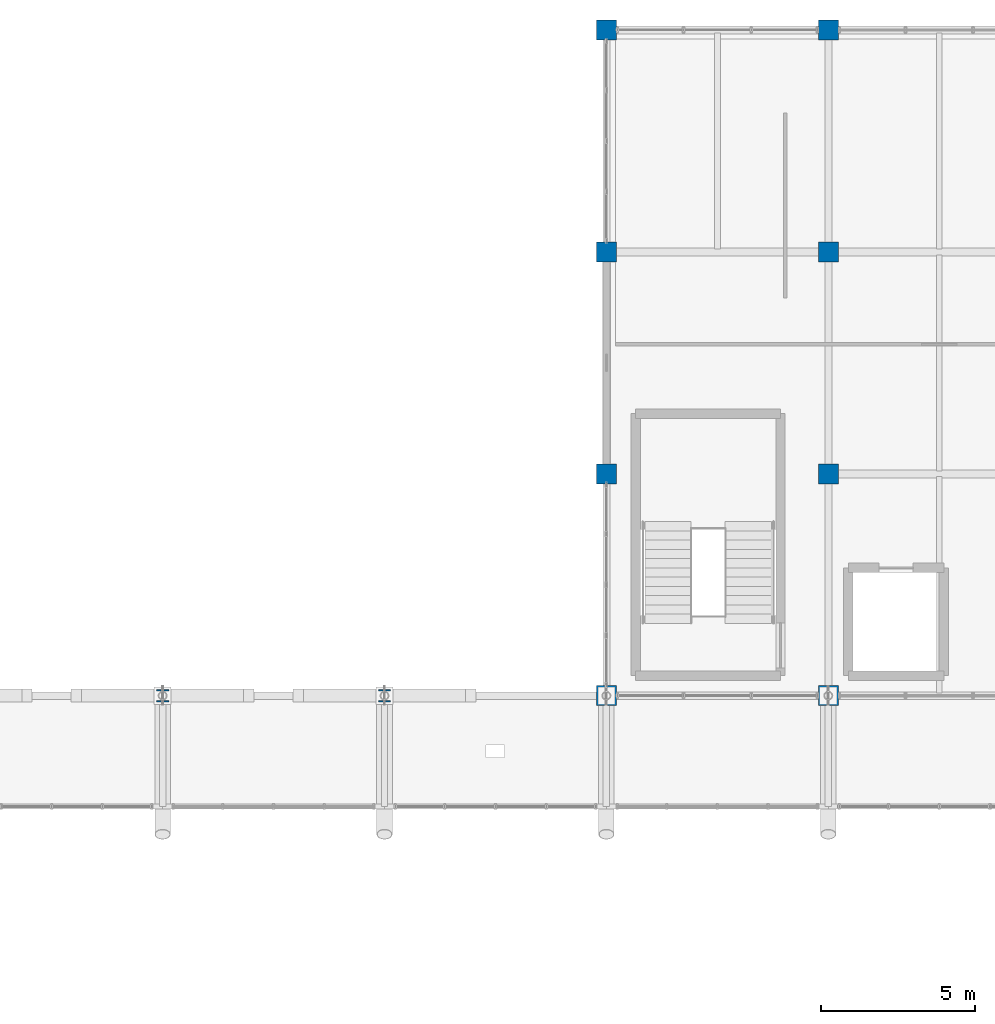
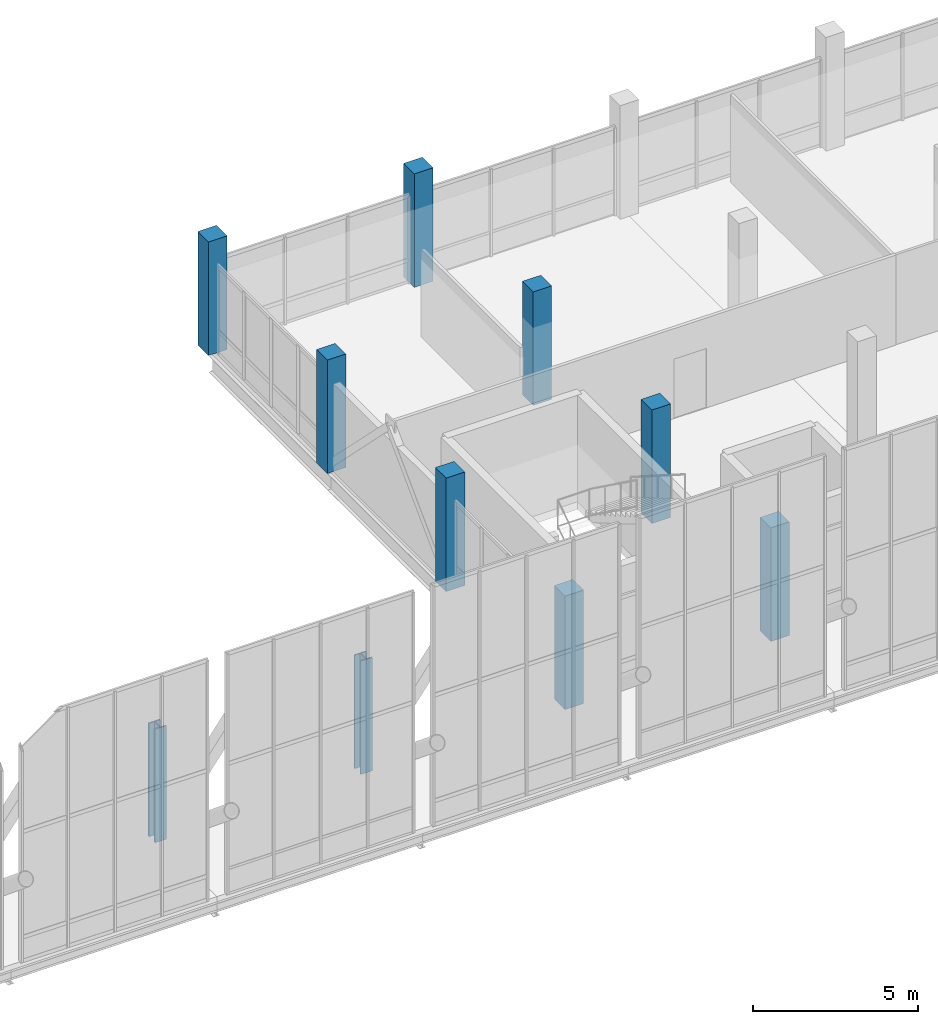
# One storey, part 4 of 102: 10 columns.
"""IFC4 building model written with IfcOpenShell, lengths in metres."""

from ifc_helpers import new_model, si_unit, direction, frame, origin, origin_2d, place, context, subcontext, project, spatial, rectangle, i_section, extrude, material, material_profile, profile_set, type_object, element, save


model = new_model("IFC4")

# Units and contexts
model_context = context("Model", 3, precision=1e-05, world=origin(), true_north=direction((0.0, 1.0)))
body_context = subcontext(model_context, "Body", "Model", "MODEL_VIEW")
ifc_project = project(units=[si_unit("LENGTHUNIT", "METRE"), si_unit("AREAUNIT", "SQUARE_METRE"), si_unit("VOLUMEUNIT", "CUBIC_METRE"), si_unit("PLANEANGLEUNIT", "RADIAN"), si_unit("MASSUNIT", "GRAM", prefix="KILO")], contexts=[model_context])

# Site, building, storey
site_placement = place(None, origin())
site = spatial("IfcSite", under=ifc_project, at=site_placement, CompositionType="ELEMENT")
building_placement = place(site_placement, origin())
building = spatial("IfcBuilding", under=site, at=building_placement, Name="Yarey Park Central Fire Station", CompositionType="ELEMENT")
storey_placement = place(building_placement, frame((0.0, 0.0, 6.0)))
storey = spatial("IfcBuildingStorey", under=building, at=storey_placement, Name="L02", CompositionType="ELEMENT", Elevation=6.0)

# Columns
ifc_material_1 = material(Name="Concrete C40/50", Category="concrete")
ifc_material_profile_1 = material_profile(ifc_material_1, rectangle(XDim=0.64990234375, YDim=0.64990234375, at=origin_2d()), Name="RC 650x650")
ifc_profile_set_1 = profile_set([ifc_material_profile_1], Name="Concrete C40/50")
column_type_1 = type_object("IfcColumnType", Name="STR_COL_RC650_EXT", PredefinedType="COLUMN", material=ifc_profile_set_1)
for number, where, z_axis, x_axis, name in (
    (1, (115.199951171875, 93.60009765625, 0.0), (0.0, 0.0, 1.0), (1.0, 0.0, 0.0), "COL_L02_X1152_Y936"),
    (2, (115.199951171875, 100.800048828125, 0.0), (0.0, 0.0, 1.0), (1.0, 0.0, 0.0), "COL_L02_X1152_Y1008"),
    (3, (115.199951171875, 108.0, 0.0), (0.0, 0.0, 1.0), (1.0, 0.0, 0.0), "COL_L02_X1152_Y1080"),
    (4, (115.199951171875, 115.199951171875, 0.0), (0.0, 0.0, 1.0), (1.0, 0.0, 0.0), "COL_L02_X1152_Y1152"),
    (5, (122.39990234375, 93.60009765625, 0.0), (0.0, 0.0, 1.0), (1.0, 0.0, 0.0), "COL_L02_X1224_Y936"),
    (6, (122.39990234375, 115.199951171875, 0.0), (0.0, 0.0, 1.0), (1.0, 0.0, 0.0), "COL_L02_X1224_Y1152"),
):
    element("IfcColumn", number, at=place(storey_placement, frame(where, z_axis=z_axis, x_axis=x_axis)), inside=storey, type_object=column_type_1, Name=name, PredefinedType="COLUMN", context=body_context, shape_type="SweptSolid", body=[
        extrude(rectangle(XDim=0.64990234375, YDim=0.64990234375, at=origin_2d()), origin(), (0.0, 0.0, 1.0), 4.199951171875),
    ])
ifc_material_profile_2 = material_profile(ifc_material_1, rectangle(XDim=0.64990234375, YDim=0.64990234375, at=origin_2d()), Name="RC 650x650")
ifc_profile_set_2 = profile_set([ifc_material_profile_2], Name="Concrete C40/50")
column_type_2 = type_object("IfcColumnType", Name="STR_COL_RC650_INT", PredefinedType="COLUMN", material=ifc_profile_set_2)
for number, where, z_axis, x_axis, name in (
    (7, (122.39990234375, 100.800048828125, 0.0), (0.0, 0.0, 1.0), (1.0, 0.0, 0.0), "COL_L02_X1224_Y1008"),
    (8, (122.39990234375, 108.0, 0.0), (0.0, 0.0, 1.0), (1.0, 0.0, 0.0), "COL_L02_X1224_Y1080"),
):
    element("IfcColumn", number, at=place(storey_placement, frame(where, z_axis=z_axis, x_axis=x_axis)), inside=storey, type_object=column_type_2, Name=name, PredefinedType="COLUMN", context=body_context, shape_type="SweptSolid", body=[
        extrude(rectangle(XDim=0.64990234375, YDim=0.64990234375, at=origin_2d()), origin(), (0.0, 0.0, 1.0), 4.199951171875),
    ])
ifc_material_2 = material(Name="Steel ASTM A992 Gr. 50", Category="steel")
ifc_material_profile_3 = material_profile(ifc_material_2, i_section(OverallWidth=0.404052734375, OverallDepth=0.406982421875, WebThickness=0.027099609375, FlangeThickness=0.043701171875, at=origin_2d()), Name="W360x347")
ifc_profile_set_3 = profile_set([ifc_material_profile_3], Name="Steel ASTM A992 Gr. 50")
column_type_3 = type_object("IfcColumnType", Name="STR_COL_W360_EXT", PredefinedType="COLUMN", material=ifc_profile_set_3)
for number, where, z_axis, x_axis, name in (
    (9, (100.800048828125, 93.60009765625, 0.0), (0.0, 0.0, 1.0), (1.0, 0.0, 0.0), "V2_SCR_POST_N_L02_100"),
    (10, (108.0, 93.60009765625, 0.0), (0.0, 0.0, 1.0), (1.0, 0.0, 0.0), "V2_SCR_POST_N_L02_108"),
):
    element("IfcColumn", number, at=place(storey_placement, frame(where, z_axis=z_axis, x_axis=x_axis)), inside=storey, type_object=column_type_3, Name=name, PredefinedType="COLUMN", context=body_context, shape_type="SweptSolid", body=[
        extrude(i_section(OverallWidth=0.404052734375, OverallDepth=0.406982421875, WebThickness=0.027099609375, FlangeThickness=0.043701171875, at=origin_2d()), origin(), (0.0, 0.0, 1.0), 4.199951171875),
    ])

save(model, "model.ifc")
